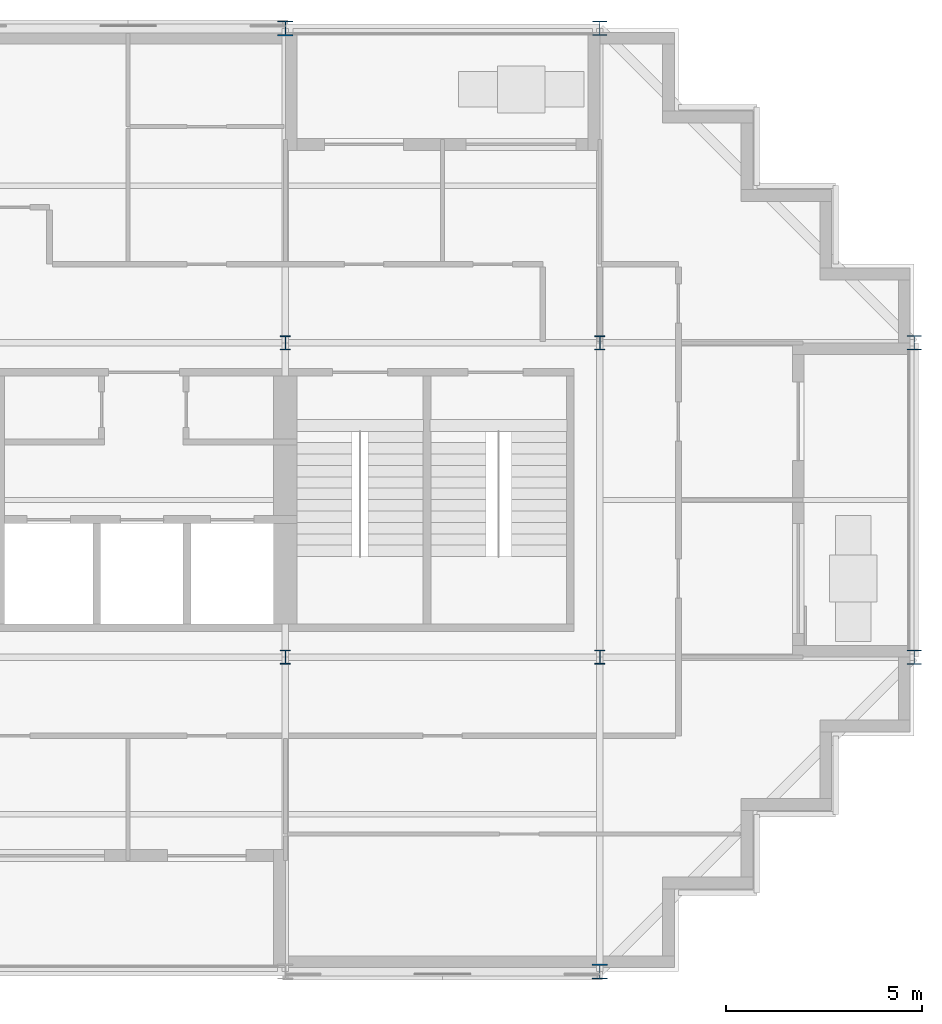
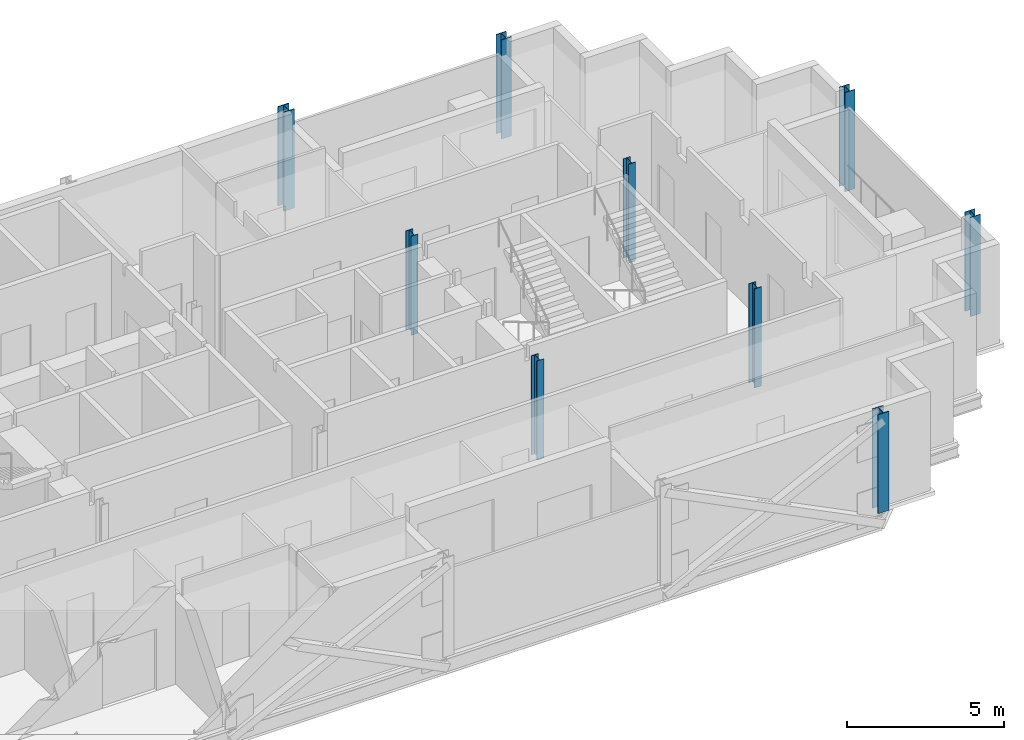
# One storey, part 2 of 10: 9 columns.
"""IFC4 building model written with IfcOpenShell, lengths in metres."""

from ifc_helpers import new_model, si_unit, direction, frame, origin, origin_2d, place, context, subcontext, project, spatial, i_section, extrude, material, material_profile, profile_set, type_object, element, save


model = new_model("IFC4")

# Units and contexts
model_context = context("Model", 3, precision=1e-05, world=origin(), true_north=direction((0.0, 1.0)))
body_context = subcontext(model_context, "Body", "Model", "MODEL_VIEW")
ifc_project = project(units=[si_unit("LENGTHUNIT", "METRE"), si_unit("AREAUNIT", "SQUARE_METRE"), si_unit("VOLUMEUNIT", "CUBIC_METRE"), si_unit("PLANEANGLEUNIT", "RADIAN"), si_unit("MASSUNIT", "GRAM", prefix="KILO")], contexts=[model_context])

# Site, building, storey
site_placement = place(None, origin())
site = spatial("IfcSite", under=ifc_project, at=site_placement, CompositionType="ELEMENT")
building_placement = place(site_placement, origin())
building = spatial("IfcBuilding", under=site, at=building_placement, Name="Immortelle Media Tower", CompositionType="ELEMENT")
storey_placement = place(building_placement, frame((0.0, 0.0, 279.0)))
storey = spatial("IfcBuildingStorey", under=building, at=storey_placement, Name="L61", CompositionType="ELEMENT", Elevation=279.0)

# Columns
ifc_material = material(Name="Steel ASTM A992 Gr 50", Category="steel")
ifc_material_profile_1 = material_profile(ifc_material, i_section(OverallWidth=0.373046875, OverallDepth=0.367919921875, WebThickness=0.014892578125, FlangeThickness=0.02392578125, at=origin_2d()), Name="W14x120")
ifc_profile_set_1 = profile_set([ifc_material_profile_1], Name="Steel ASTM A992 Gr 50")
column_type_1 = type_object("IfcColumnType", Name="W14x120 column", PredefinedType="COLUMN", material=ifc_profile_set_1)
for number, where, z_axis, x_axis, name in (
    (1, (40.0, 24.0, 0.0), (0.0, 0.0, 1.0), (1.0, 0.0, 0.0), "Column 6/D"),
    (2, (48.0, 8.0, 0.0), (0.0, 0.0, 1.0), (1.0, 0.0, 0.0), "Column 7/B"),
    (3, (48.0, 16.0, 0.0), (0.0, 0.0, 1.0), (1.0, 0.0, 0.0), "Column 7/C"),
):
    element("IfcColumn", number, at=place(storey_placement, frame(where, z_axis=z_axis, x_axis=x_axis)), inside=storey, type_object=column_type_1, Name=name, PredefinedType="COLUMN", context=body_context, shape_type="SweptSolid", body=[
        extrude(i_section(OverallWidth=0.373046875, OverallDepth=0.367919921875, WebThickness=0.014892578125, FlangeThickness=0.02392578125, at=origin_2d()), origin(), (0.0, 0.0, 1.0), 3.85009765625),
    ])
ifc_material_profile_2 = material_profile(ifc_material, i_section(OverallWidth=0.39892578125, OverallDepth=0.385986328125, WebThickness=0.02099609375, FlangeThickness=0.032958984375, at=origin_2d()), Name="W14x176")
ifc_profile_set_2 = profile_set([ifc_material_profile_2], Name="Steel ASTM A992 Gr 50")
column_type_2 = type_object("IfcColumnType", Name="W14x176 column", PredefinedType="COLUMN", material=ifc_profile_set_2)
for number, where, z_axis, x_axis, name in (
    (4, (32.0, 24.0, 0.0), (0.0, 0.0, 1.0), (1.0, 0.0, 0.0), "Column 5/D"),
    (5, (40.0, 0.0, 0.0), (0.0, 0.0, 1.0), (1.0, 0.0, 0.0), "Column 6/A"),
):
    element("IfcColumn", number, at=place(storey_placement, frame(where, z_axis=z_axis, x_axis=x_axis)), inside=storey, type_object=column_type_2, Name=name, PredefinedType="COLUMN", context=body_context, shape_type="SweptSolid", body=[
        extrude(i_section(OverallWidth=0.39892578125, OverallDepth=0.385986328125, WebThickness=0.02099609375, FlangeThickness=0.032958984375, at=origin_2d()), origin(), (0.0, 0.0, 1.0), 3.85009765625),
    ])
ifc_material_profile_3 = material_profile(ifc_material, i_section(OverallWidth=0.257080078125, OverallDepth=0.363037109375, WebThickness=0.012939453125, FlangeThickness=0.02197265625, at=origin_2d()), Name="W14x82")
ifc_profile_set_3 = profile_set([ifc_material_profile_3], Name="Steel ASTM A992 Gr 50")
column_type_3 = type_object("IfcColumnType", Name="W14x82 column", PredefinedType="COLUMN", material=ifc_profile_set_3)
for number, where, z_axis, x_axis, name in (
    (6, (32.0, 8.0, 0.0), (0.0, 0.0, 1.0), (1.0, 0.0, 0.0), "Column 5/B"),
    (7, (32.0, 16.0, 0.0), (0.0, 0.0, 1.0), (1.0, 0.0, 0.0), "Column 5/C"),
    (8, (40.0, 8.0, 0.0), (0.0, 0.0, 1.0), (1.0, 0.0, 0.0), "Column 6/B"),
    (9, (40.0, 16.0, 0.0), (0.0, 0.0, 1.0), (1.0, 0.0, 0.0), "Column 6/C"),
):
    element("IfcColumn", number, at=place(storey_placement, frame(where, z_axis=z_axis, x_axis=x_axis)), inside=storey, type_object=column_type_3, Name=name, PredefinedType="COLUMN", context=body_context, shape_type="SweptSolid", body=[
        extrude(i_section(OverallWidth=0.257080078125, OverallDepth=0.363037109375, WebThickness=0.012939453125, FlangeThickness=0.02197265625, at=origin_2d()), origin(), (0.0, 0.0, 1.0), 3.85009765625),
    ])

save(model, "model.ifc")
